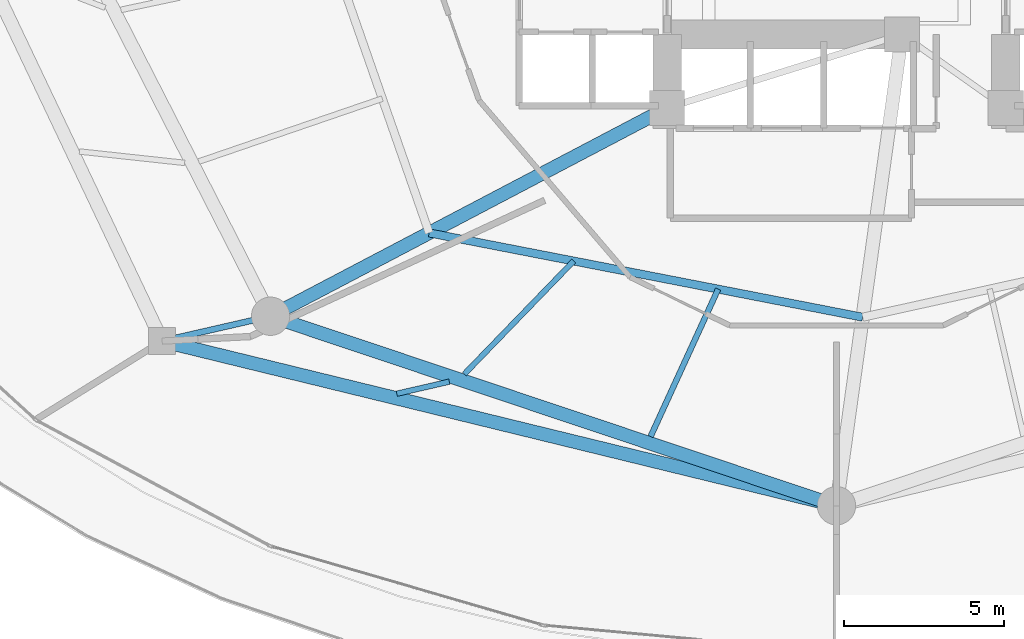
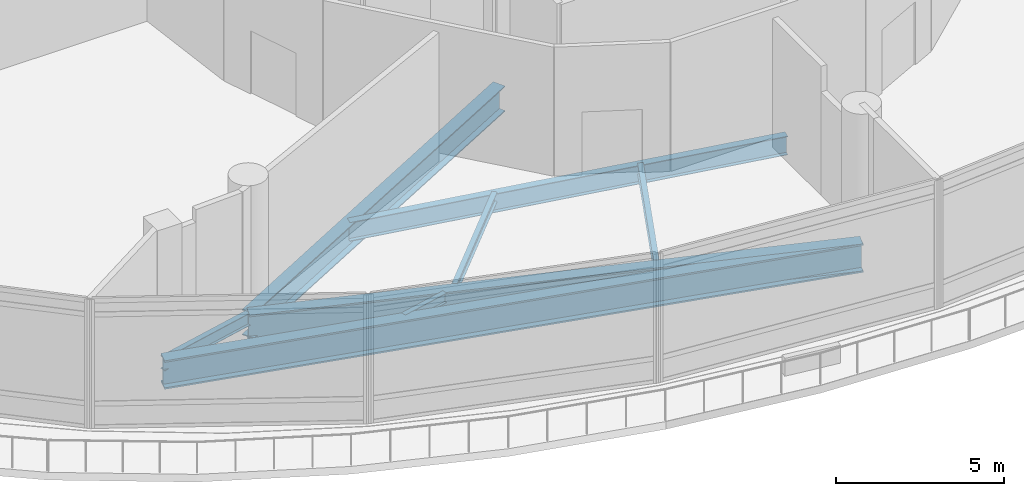
# One storey, part 4 of 36: 8 beams.
"""IFC4 building model written with IfcOpenShell, lengths in metres."""

from ifc_helpers import new_model, si_unit, direction, frame, origin, origin_2d, place, context, subcontext, project, spatial, i_section, extrude, material, material_profile, profile_set, type_object, element, save


model = new_model("IFC4")

# Units and contexts
model_context = context("Model", 3, precision=1e-05, world=origin(), true_north=direction((0.0, 1.0)))
body_context = subcontext(model_context, "Body", "Model", "MODEL_VIEW")
ifc_project = project(units=[si_unit("LENGTHUNIT", "METRE"), si_unit("AREAUNIT", "SQUARE_METRE"), si_unit("VOLUMEUNIT", "CUBIC_METRE"), si_unit("PLANEANGLEUNIT", "RADIAN"), si_unit("MASSUNIT", "GRAM", prefix="KILO")], contexts=[model_context])

# Site, building, storey
site_placement = place(None, origin())
site = spatial("IfcSite", under=ifc_project, at=site_placement, CompositionType="ELEMENT")
building_placement = place(site_placement, origin())
building = spatial("IfcBuilding", under=site, at=building_placement, Name="Nuhasar Tower", CompositionType="ELEMENT")
storey_placement = place(building_placement, frame((0.0, 0.0, 11.0)))
storey = spatial("IfcBuildingStorey", under=building, at=storey_placement, Name="L02", CompositionType="ELEMENT", Elevation=11.0)

# Beams
ifc_material_1 = material(Name="Steel S355", Category="steel")
ifc_material_profile_1 = material_profile(ifc_material_1, i_section(OverallWidth=0.25390625, OverallDepth=0.68408203125, WebThickness=0.012451171875, FlangeThickness=0.018798828125, at=origin_2d()), Name="W27X94")
ifc_profile_set_1 = profile_set([ifc_material_profile_1], Name="Steel S355")
beam_type_1 = type_object("IfcBeamType", Name="BM-INRING-W27X94", PredefinedType="BEAM", material=ifc_profile_set_1)
beam_1_placement = place(storey_placement, frame((26.251953125, 15.089111328125, -0.64208984375), z_axis=(0.981602977761, -0.190933480695, 0.0), x_axis=(0.190933480695, 0.981602977761, 0.0)))
element("IfcBeam", 1, at=beam_1_placement, inside=storey, type_object=beam_type_1, Name="L02 Inner Header Beam 01", PredefinedType="BEAM", context=body_context, shape_type="SweptSolid", body=[
    extrude(i_section(OverallWidth=0.25390625, OverallDepth=0.68408203125, WebThickness=0.012451171875, FlangeThickness=0.018798828125, at=origin_2d()), origin(), (0.0, 0.0, 1.0), 13.822509765625),
])
ifc_material_profile_2 = material_profile(ifc_material_1, i_section(OverallWidth=0.1708984375, OverallDepth=0.35205078125, WebThickness=0.0068359375, FlangeThickness=0.009765625, at=origin_2d()), Name="W14X30")
ifc_profile_set_2 = profile_set([ifc_material_profile_2], Name="Steel S355")
beam_type_2 = type_object("IfcBeamType", Name="BM-JST-W14X30", PredefinedType="JOIST", material=ifc_profile_set_2)
beam_2_placement = place(storey_placement, frame((30.77490234375, 14.208984375, -0.47607421875), z_axis=(-0.695213362508, -0.718803436685, 0.0), x_axis=(0.718803436685, -0.695213362508, 0.0)))
element("IfcBeam", 2, at=beam_2_placement, inside=storey, type_object=beam_type_2, Name="L02 Secondary Floor Joist 01", PredefinedType="JOIST", context=body_context, shape_type="SweptSolid", body=[
    extrude(i_section(OverallWidth=0.1708984375, OverallDepth=0.35205078125, WebThickness=0.0068359375, FlangeThickness=0.009765625, at=origin_2d()), origin(), (0.0, 0.0, 1.0), 4.92626953125),
])
beam_3_placement = place(storey_placement, frame((26.882080078125, 10.43310546875, -0.47607421875), z_axis=(-0.97467582406, -0.223622534626, 0.0), x_axis=(0.223622534626, -0.97467582406, 0.0)))
element("IfcBeam", 3, at=beam_3_placement, inside=storey, type_object=beam_type_2, Name="L02 Podium Secondary Joist 01", PredefinedType="JOIST", context=body_context, shape_type="SweptSolid", body=[
    extrude(i_section(OverallWidth=0.1708984375, OverallDepth=0.35205078125, WebThickness=0.0068359375, FlangeThickness=0.009765625, at=origin_2d()), origin(), (0.0, 0.0, 1.0), 1.686767578125),
])
ifc_material_profile_3 = material_profile(ifc_material_1, i_section(OverallWidth=0.177978515625, OverallDepth=0.406005859375, WebThickness=0.0078125, FlangeThickness=0.0126953125, at=origin_2d()), Name="W16X40")
ifc_profile_set_3 = profile_set([ifc_material_profile_3], Name="Steel S355")
beam_type_3 = type_object("IfcBeamType", Name="BM-JST-W16X40", PredefinedType="JOIST", material=ifc_profile_set_3)
beam_4_placement = place(storey_placement, frame((35.297119140625, 13.330078125, -0.5029296875), z_axis=(-0.416659678272, -0.909062545979, 0.0), x_axis=(0.909062545979, -0.416659678272, 0.0)))
element("IfcBeam", 4, at=beam_4_placement, inside=storey, type_object=beam_type_3, Name="L02 Secondary Floor Joist 02", PredefinedType="JOIST", context=body_context, shape_type="SweptSolid", body=[
    extrude(i_section(OverallWidth=0.177978515625, OverallDepth=0.406005859375, WebThickness=0.0078125, FlangeThickness=0.0126953125, at=origin_2d()), origin(), (0.0, 0.0, 1.0), 5.07666015625),
])
ifc_material_profile_4 = material_profile(ifc_material_1, i_section(OverallWidth=0.419921875, OverallDepth=0.931884765625, WebThickness=0.021240234375, FlangeThickness=0.03662109375, at=origin_2d()), Name="W36X262")
ifc_profile_set_4 = profile_set([ifc_material_profile_4], Name="Steel S355")
beam_type_4 = type_object("IfcBeamType", Name="BM-POD-W36X262", PredefinedType="BEAM", material=ifc_profile_set_4)
beam_5_placement = place(storey_placement, frame((33.699951171875, 19.0, -0.76611328125), z_axis=(-0.885330348705, -0.464962550816, 0.0), x_axis=(0.464962550816, -0.885330348705, 0.0)))
element("IfcBeam", 5, at=beam_5_placement, inside=storey, type_object=beam_type_4, Name="L02 Radial Floor Girder 01", PredefinedType="BEAM", context=body_context, shape_type="SweptSolid", body=[
    extrude(i_section(OverallWidth=0.419921875, OverallDepth=0.931884765625, WebThickness=0.021240234375, FlangeThickness=0.03662109375, at=origin_2d()), origin(), (0.0, 0.0, 1.0), 14.0205078125),
])
ifc_material_profile_5 = material_profile(ifc_material_1, i_section(OverallWidth=0.18994140625, OverallDepth=0.45703125, WebThickness=0.009033203125, FlangeThickness=0.014404296875, at=origin_2d()), Name="W18X50")
ifc_profile_set_5 = profile_set([ifc_material_profile_5], Name="Steel S355")
beam_type_5 = type_object("IfcBeamType", Name="BM-RAD-W18X50", PredefinedType="BEAM", material=ifc_profile_set_5)
beam_6_placement = place(storey_placement, frame((21.287109375, 12.48095703125, -0.529052734375), z_axis=(-0.974715141502, -0.223451097394, 0.0), x_axis=(0.223451097394, -0.974715141502, 0.0)))
element("IfcBeam", 6, at=beam_6_placement, inside=storey, type_object=beam_type_5, Name="L02 Podium Radial Girder 01", PredefinedType="BEAM", context=body_context, shape_type="SweptSolid", body=[
    extrude(i_section(OverallWidth=0.18994140625, OverallDepth=0.45703125, WebThickness=0.009033203125, FlangeThickness=0.014404296875, at=origin_2d()), origin(), (0.0, 0.0, 1.0), 3.482177734375),
])
ifc_material_2 = material(Name="Steel S460", Category="steel")
ifc_material_profile_6 = material_profile(ifc_material_2, i_section(OverallWidth=0.419921875, OverallDepth=1.0400390625, WebThickness=0.031005859375, FlangeThickness=0.055908203125, at=origin_2d()), Name="W40X397")
ifc_profile_set_6 = profile_set([ifc_material_profile_6], Name="Steel S460")
beam_type_6 = type_object("IfcBeamType", Name="BM-XFER-W40X397", PredefinedType="USERDEFINED", material=ifc_profile_set_6)
beam_7_placement = place(storey_placement, frame((21.287109375, 12.48095703125, -0.820068359375), z_axis=(0.948255042429, -0.317509644748, 0.0), x_axis=(0.317509644748, 0.948255042429, 0.0)))
element("IfcBeam", 7, at=beam_7_placement, inside=storey, type_object=beam_type_6, Name="L02 Mega-Column Ring Girder 01", ObjectType="GIRDER", PredefinedType="USERDEFINED", context=body_context, shape_type="SweptSolid", body=[
    extrude(i_section(OverallWidth=0.419921875, OverallDepth=1.0400390625, WebThickness=0.031005859375, FlangeThickness=0.055908203125, at=origin_2d()), origin(), (0.0, 0.0, 1.0), 18.679443359375),
])
beam_8_placement = place(storey_placement, frame((17.89306640625, 11.702880859375, -0.820068359375), z_axis=(0.971469463574, -0.237164671365, 0.0), x_axis=(0.237164671365, 0.971469463574, 0.0)))
element("IfcBeam", 8, at=beam_8_placement, inside=storey, type_object=beam_type_6, Name="L02 Podium Ring Girder 01", ObjectType="GIRDER", PredefinedType="USERDEFINED", context=body_context, shape_type="SweptSolid", body=[
    extrude(i_section(OverallWidth=0.419921875, OverallDepth=1.0400390625, WebThickness=0.031005859375, FlangeThickness=0.055908203125, at=origin_2d()), origin(), (0.0, 0.0, 1.0), 21.726806640625),
])

save(model, "model.ifc")
